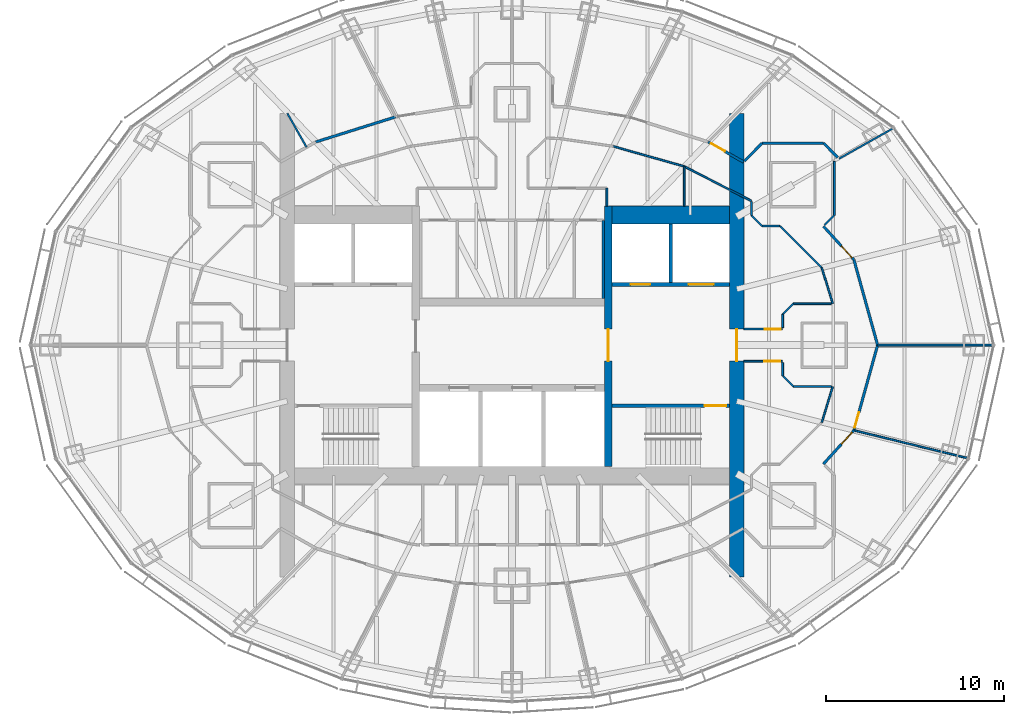
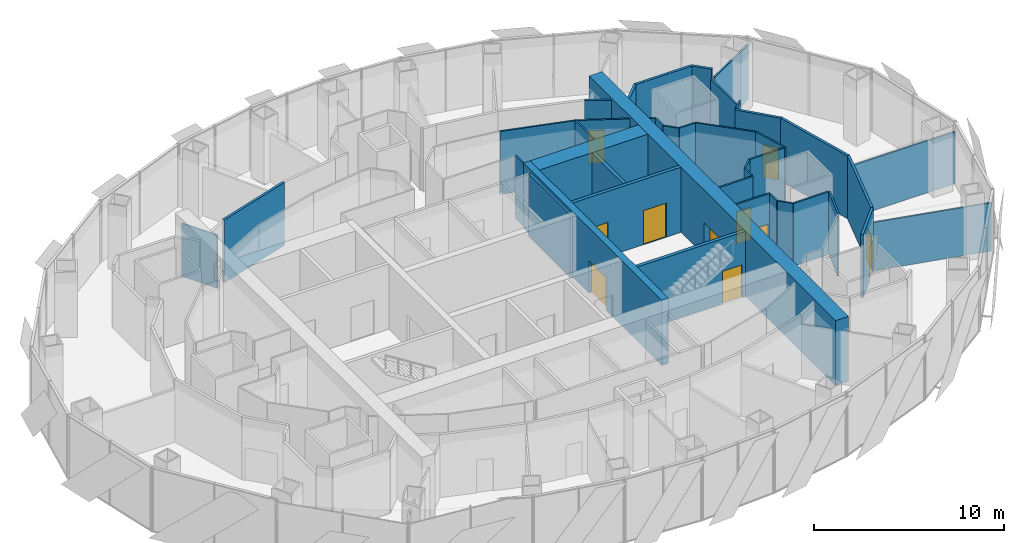
# One storey, part 14 of 18: 40 walls, 11 doors, 11 openings.
"""IFC4 building model written with IfcOpenShell, lengths in metres."""

from ifc_helpers import new_model, si_unit, direction, frame, frame_2d, origin, place, context, subcontext, project, spatial, rectangle, extrude, material, layer, layer_set, type_object, element, fill, save


model = new_model("IFC4")

# Units and contexts
model_context = context("Model", 3, precision=1e-05, world=origin(), true_north=direction((0.0, 1.0)))
body_context = subcontext(model_context, "Body", "Model", "MODEL_VIEW")
ifc_project = project(units=[si_unit("LENGTHUNIT", "METRE"), si_unit("AREAUNIT", "SQUARE_METRE"), si_unit("VOLUMEUNIT", "CUBIC_METRE"), si_unit("PLANEANGLEUNIT", "RADIAN"), si_unit("MASSUNIT", "GRAM", prefix="KILO")], contexts=[model_context])

# Site, building, storey
site_placement = place(None, origin())
site = spatial("IfcSite", under=ifc_project, at=site_placement, CompositionType="ELEMENT")
building_placement = place(site_placement, origin())
building = spatial("IfcBuilding", under=site, at=building_placement, Name="Lantaw Convention Tower", CompositionType="ELEMENT")
storey_placement = place(building_placement, frame((0.0, 0.0, 228.39990234375)))
storey = spatial("IfcBuildingStorey", under=building, at=storey_placement, Name="L53", CompositionType="ELEMENT", Elevation=228.39990234375)

# Wall
ifc_material_1 = material(Name="Concrete C60/75", Category="concrete")
ifc_layer_1 = layer(ifc_material_1, 1.0)
ifc_layer_set_1 = layer_set([ifc_layer_1], Name="Core wall 1000")
wall_type_1 = type_object("IfcWallType", Name="Core wall 1000", PredefinedType="SHEAR", material=ifc_layer_set_1)
wall_1_placement = place(storey_placement, frame((12.199951171875, 7.300048828125, 0.0), z_axis=(0.0, 0.0, 1.0), x_axis=(-1.0, 0.0, 0.0)))
element("IfcWall", 1, at=wall_1_placement, inside=storey, type_object=wall_type_1, Name="Core wall NE", PredefinedType="SHEAR", context=body_context, shape_type="SweptSolid", body=[
    extrude(rectangle(XDim=6.599853515625, YDim=1.0, at=frame_2d((3.2998046875, 0.0))), origin(), (0.0, 0.0, 1.0), 4.2001953125),
])

# Wall, opening, door
ifc_layer_2 = layer(ifc_material_1, 0.199951171875)
ifc_layer_set_2 = layer_set([ifc_layer_2], Name="Core wall 200")
wall_type_2 = type_object("IfcWallType", Name="Core wall 200", PredefinedType="SHEAR", material=ifc_layer_set_2)
wall_2_placement = place(storey_placement, frame((5.60009765625, -3.39990234375, 0.0), z_axis=(0.0, 0.0, 1.0), x_axis=(1.0, 0.0, 0.0)))
wall_2 = element("IfcWall", 2, at=wall_2_placement, inside=storey, type_object=wall_type_2, Name="Core wall ES", PredefinedType="SHEAR", context=body_context, shape_type="SweptSolid", body=[
    extrude(rectangle(XDim=6.599853515625, YDim=0.199951171875, at=frame_2d((3.2998046875, 0.0))), origin(), (0.0, 0.0, 1.0), 4.2001953125),
])
opening_1_placement = place(wall_2_placement, frame((5.199951171875, 0.0, 0.0)))
opening_1 = element("IfcOpeningElement", 3, at=opening_1_placement, cuts=wall_2, Name="Opening L53.03", PredefinedType="OPENING", context=body_context, shape_type="SweptSolid", body=[
    extrude(rectangle(XDim=1.199951171875, YDim=2.10009765625, at=frame_2d((0.60009765625, 1.050048828125))), frame((0.0, 0.10986328125, 0.0), z_axis=(0.0, -1.0, 0.0), x_axis=(1.0, 0.0, 0.0)), (0.0, 0.0, 1.0), 0.219970703125),
])
ifc_material_2 = material(Name="Steel, fire rated", Category="steel")
door_type_1 = type_object("IfcDoorType", Name="Stair door FD90", OperationType="SINGLE_SWING_RIGHT", PredefinedType="DOOR", material=ifc_material_2)
door_1_placement = place(opening_1_placement, origin())
door_1 = element("IfcDoor", 4, at=door_1_placement, inside=storey, type_object=door_type_1, Name="Exit stair door", OperationType="SINGLE_SWING_RIGHT", OverallHeight=2.10009765625, OverallWidth=1.199951171875, PredefinedType="DOOR", context=body_context, shape_type="SweptSolid", body=[
    extrude(rectangle(XDim=1.199951171875, YDim=2.10009765625, at=frame_2d((0.60009765625, 1.050048828125))), frame((0.0, 0.02490234375, 0.0), z_axis=(0.0, -1.0, 0.0), x_axis=(1.0, 0.0, 0.0)), (0.0, 0.0, 1.0), 0.050048828125),
])
fill(opening_1, door_1)

ifc_layer_3 = layer(ifc_material_1, 0.39990234375)
ifc_layer_set_3 = layer_set([ifc_layer_3], Name="Core wall 400")
wall_type_3 = type_object("IfcWallType", Name="Core wall 400", PredefinedType="SHEAR", material=ifc_layer_set_3)
wall_3_placement = place(storey_placement, frame((5.39990234375, -6.800048828125, 0.0), z_axis=(0.0, 0.0, 1.0), x_axis=(0.0, 1.0, 0.0)))
wall_3 = element("IfcWall", 5, at=wall_3_placement, inside=storey, type_object=wall_type_3, Name="Core wall XE", PredefinedType="SHEAR", context=body_context, shape_type="SweptSolid", body=[
    extrude(rectangle(XDim=14.60009765625, YDim=0.39990234375, at=frame_2d((7.300048828125, 0.0))), origin(), (0.0, 0.0, 1.0), 4.2001953125),
])
opening_2_placement = place(wall_3_placement, frame((5.89990234375, 0.0, 0.0)))
opening_2 = element("IfcOpeningElement", 6, at=opening_2_placement, cuts=wall_3, Name="Opening L53.01", PredefinedType="OPENING", context=body_context, shape_type="SweptSolid", body=[
    extrude(rectangle(XDim=1.800048828125, YDim=2.10009765625, at=frame_2d((0.89990234375, 1.050048828125))), frame((0.0, 0.2099609375, 0.0), z_axis=(0.0, -1.0, 0.0), x_axis=(1.0, 0.0, 0.0)), (0.0, 0.0, 1.0), 0.419921875),
])
door_type_2 = type_object("IfcDoorType", Name="Lobby double door FD90", OperationType="DOUBLE_DOOR_DOUBLE_SWING", PredefinedType="DOOR", material=ifc_material_2)
door_2_placement = place(opening_2_placement, origin())
door_2 = element("IfcDoor", 7, at=door_2_placement, inside=storey, type_object=door_type_2, Name="Lift lobby door", OperationType="DOUBLE_DOOR_DOUBLE_SWING", OverallHeight=2.10009765625, OverallWidth=1.800048828125, PredefinedType="DOOR", context=body_context, shape_type="SweptSolid", body=[
    extrude(rectangle(XDim=1.800048828125, YDim=2.10009765625, at=frame_2d((0.89990234375, 1.050048828125))), frame((0.0, 0.02490234375, 0.0), z_axis=(0.0, -1.0, 0.0), x_axis=(1.0, 0.0, 0.0)), (0.0, 0.0, 1.0), 0.050048828125),
])
fill(opening_2, door_2)

ifc_layer_4 = layer(ifc_material_1, 0.800048828125)
ifc_layer_set_4 = layer_set([ifc_layer_4], Name="Core wall 800")
wall_type_4 = type_object("IfcWallType", Name="Core wall 800", PredefinedType="SHEAR", material=ifc_layer_set_4)
wall_4_placement = place(storey_placement, frame((12.60009765625, -13.0, 0.0), z_axis=(0.0, 0.0, 1.0), x_axis=(0.0, 1.0, 0.0)))
wall_4 = element("IfcWall", 8, at=wall_4_placement, inside=storey, type_object=wall_type_4, Name="Core wall E", PredefinedType="SHEAR", context=body_context, shape_type="SweptSolid", body=[
    extrude(rectangle(XDim=26.0, YDim=0.800048828125, at=frame_2d((13.0, 0.0))), origin(), (0.0, 0.0, 1.0), 4.2001953125),
])
opening_3_placement = place(wall_4_placement, frame((12.10009765625, 0.0, 0.0)))
opening_3 = element("IfcOpeningElement", 9, at=opening_3_placement, cuts=wall_4, Name="Opening L53.05", PredefinedType="OPENING", context=body_context, shape_type="SweptSolid", body=[
    extrude(rectangle(XDim=1.800048828125, YDim=2.10009765625, at=frame_2d((0.89990234375, 1.050048828125))), frame((0.0, 0.409912109375, 0.0), z_axis=(0.0, -1.0, 0.0), x_axis=(1.0, 0.0, 0.0)), (0.0, 0.0, 1.0), 0.820068359375),
])
door_3_placement = place(opening_3_placement, origin())
door_3 = element("IfcDoor", 10, at=door_3_placement, inside=storey, type_object=door_type_2, Name="Firefighting lobby door", OperationType="DOUBLE_DOOR_DOUBLE_SWING", OverallHeight=2.10009765625, OverallWidth=1.800048828125, PredefinedType="DOOR", context=body_context, shape_type="SweptSolid", body=[
    extrude(rectangle(XDim=1.800048828125, YDim=2.10009765625, at=frame_2d((0.89990234375, 1.050048828125))), frame((0.0, 0.02490234375, 0.0), z_axis=(0.0, -1.0, 0.0), x_axis=(1.0, 0.0, 0.0)), (0.0, 0.0, 1.0), 0.050048828125),
])
fill(opening_3, door_3)

# Walls
ifc_material_3 = material(Name="Gypsum board on steel studs, fire rated", Category="steel")
ifc_layer_5 = layer(ifc_material_3, 0.14990234375)
ifc_layer_set_5 = layer_set([ifc_layer_5], Name="Corridor wall 150 EI 60")
wall_type_5 = type_object("IfcWallType", Name="Corridor wall 150 EI 60", PredefinedType="PARTITIONING", material=ifc_layer_set_5)
wall_5_placement = place(storey_placement, frame((20.5, 0.0, 0.0), z_axis=(0.0, 0.0, 1.0), x_axis=(-0.26770731566, 0.963500281859, 0.0)))
element("IfcWall", 11, at=wall_5_placement, inside=storey, type_object=wall_type_5, Name="Corridor wall 150", PredefinedType="PARTITIONING", context=body_context, shape_type="SweptSolid", body=[
    extrude(rectangle(XDim=4.961181640625, YDim=0.14990234375, at=frame_2d((2.48046875, 0.0))), origin(), (0.0, 0.0, 1.0), 4.050048828125),
])
wall_6_placement = place(storey_placement, frame((-6.521240234375, 12.798828125, 0.0), z_axis=(0.0, 0.0, 1.0), x_axis=(-0.954031103669, -0.299707612903, 0.0)))
element("IfcWall", 12, at=wall_6_placement, inside=storey, type_object=wall_type_5, Name="Corridor wall 150", PredefinedType="PARTITIONING", context=body_context, shape_type="SweptSolid", body=[
    extrude(rectangle(XDim=4.6953125, YDim=0.14990234375, at=frame_2d((2.34765625, 0.0))), origin(), (0.0, 0.0, 1.0), 4.050048828125),
])

# Wall, opening, door
wall_7_placement = place(storey_placement, frame((19.171875, -4.780029296875, 0.0), z_axis=(0.0, 0.0, 1.0), x_axis=(0.26770731566, 0.963500281859, 0.0)))
wall_7 = element("IfcWall", 13, at=wall_7_placement, inside=storey, type_object=wall_type_5, Name="Corridor wall 150", PredefinedType="PARTITIONING", context=body_context, shape_type="SweptSolid", body=[
    extrude(rectangle(XDim=4.961181640625, YDim=0.14990234375, at=frame_2d((2.48046875, 0.0))), origin(), (0.0, 0.0, 1.0), 4.050048828125),
])
opening_4_placement = place(wall_7_placement, frame((0.14990234375, 0.0, 0.0)))
opening_4 = element("IfcOpeningElement", 14, at=opening_4_placement, cuts=wall_7, Name="Opening L53.44", PredefinedType="OPENING", context=body_context, shape_type="SweptSolid", body=[
    extrude(rectangle(XDim=0.89990234375, YDim=2.10009765625, at=frame_2d((0.449951171875, 1.050048828125))), frame((0.0, 0.0849609375, 0.0), z_axis=(0.0, -1.0, 0.0), x_axis=(1.0, 0.0, 0.0)), (0.0, 0.0, 1.0), 0.169921875),
])
door_type_3 = type_object("IfcDoorType", Name="Office door 900 FD30", OperationType="SINGLE_SWING_LEFT", PredefinedType="DOOR", material=ifc_material_2)
door_4_placement = place(opening_4_placement, origin())
door_4 = element("IfcDoor", 15, at=door_4_placement, inside=storey, type_object=door_type_3, Name="Pantry door", OperationType="SINGLE_SWING_LEFT", OverallHeight=2.10009765625, OverallWidth=0.89990234375, PredefinedType="DOOR", context=body_context, shape_type="SweptSolid", body=[
    extrude(rectangle(XDim=0.89990234375, YDim=2.10009765625, at=frame_2d((0.449951171875, 1.050048828125))), frame((0.0, 0.02490234375, 0.0), z_axis=(0.0, -1.0, 0.0), x_axis=(1.0, 0.0, 0.0)), (0.0, 0.0, 1.0), 0.050048828125),
])
fill(opening_4, door_4)

wall_8_placement = place(storey_placement, frame((17.462646484375, -6.6650390625, 0.0), z_axis=(0.0, 0.0, 1.0), x_axis=(0.671721890643, 0.74080341632, 0.0)))
wall_8 = element("IfcWall", 16, at=wall_8_placement, inside=storey, type_object=wall_type_5, Name="Corridor wall 150", PredefinedType="PARTITIONING", context=body_context, shape_type="SweptSolid", body=[
    extrude(rectangle(XDim=2.54443359375, YDim=0.14990234375, at=frame_2d((1.272216796875, 0.0))), origin(), (0.0, 0.0, 1.0), 4.050048828125),
])
opening_5_placement = place(wall_8_placement, frame((1.5, 0.0, 0.0)))
opening_5 = element("IfcOpeningElement", 17, at=opening_5_placement, cuts=wall_8, Name="Opening L53.43", PredefinedType="OPENING", context=body_context, shape_type="SweptSolid", body=[
    extrude(rectangle(XDim=0.89990234375, YDim=2.10009765625, at=frame_2d((0.449951171875, 1.050048828125))), frame((0.0, 0.0849609375, 0.0), z_axis=(0.0, -1.0, 0.0), x_axis=(1.0, 0.0, 0.0)), (0.0, 0.0, 1.0), 0.169921875),
])
door_5_placement = place(opening_5_placement, origin())
door_5 = element("IfcDoor", 18, at=door_5_placement, inside=storey, type_object=door_type_3, Name="Open office door", OperationType="SINGLE_SWING_LEFT", OverallHeight=2.10009765625, OverallWidth=0.89990234375, PredefinedType="DOOR", context=body_context, shape_type="SweptSolid", body=[
    extrude(rectangle(XDim=0.89990234375, YDim=2.10009765625, at=frame_2d((0.449951171875, 1.050048828125))), frame((0.0, 0.02490234375, 0.0), z_axis=(0.0, -1.0, 0.0), x_axis=(1.0, 0.0, 0.0)), (0.0, 0.0, 1.0), 0.050048828125),
])
fill(opening_5, door_5)

wall_9_placement = place(storey_placement, frame((19.171875, 4.780029296875, 0.0), z_axis=(0.0, 0.0, 1.0), x_axis=(-0.671721890643, 0.74080341632, 0.0)))
wall_9 = element("IfcWall", 19, at=wall_9_placement, inside=storey, type_object=wall_type_5, Name="Corridor wall 150", PredefinedType="PARTITIONING", context=body_context, shape_type="SweptSolid", body=[
    extrude(rectangle(XDim=2.54443359375, YDim=0.14990234375, at=frame_2d((1.272216796875, 0.0))), origin(), (0.0, 0.0, 1.0), 4.050048828125),
])
opening_6_placement = place(wall_9_placement, frame((0.14990234375, 0.0, 0.0)))
opening_6 = element("IfcOpeningElement", 20, at=opening_6_placement, cuts=wall_9, Name="Opening L53.28", PredefinedType="OPENING", context=body_context, shape_type="SweptSolid", body=[
    extrude(rectangle(XDim=0.89990234375, YDim=2.10009765625, at=frame_2d((0.449951171875, 1.050048828125))), frame((0.0, 0.0849609375, 0.0), z_axis=(0.0, -1.0, 0.0), x_axis=(1.0, 0.0, 0.0)), (0.0, 0.0, 1.0), 0.169921875),
])
door_6_placement = place(opening_6_placement, origin())
door_6 = element("IfcDoor", 21, at=door_6_placement, inside=storey, type_object=door_type_3, Name="Reception door", OperationType="SINGLE_SWING_LEFT", OverallHeight=2.10009765625, OverallWidth=0.89990234375, PredefinedType="DOOR", context=body_context, shape_type="SweptSolid", body=[
    extrude(rectangle(XDim=0.89990234375, YDim=2.10009765625, at=frame_2d((0.449951171875, 1.050048828125))), frame((0.0, 0.02490234375, 0.0), z_axis=(0.0, -1.0, 0.0), x_axis=(1.0, 0.0, 0.0)), (0.0, 0.0, 1.0), 0.050048828125),
])
fill(opening_6, door_6)

wall_10_placement = place(storey_placement, frame((12.974609375, 10.271484375, 0.0), z_axis=(0.0, 0.0, 1.0), x_axis=(-0.869722107117, 0.493541747366, 0.0)))
wall_10 = element("IfcWall", 22, at=wall_10_placement, inside=storey, type_object=wall_type_5, Name="Corridor wall 150", PredefinedType="PARTITIONING", context=body_context, shape_type="SweptSolid", body=[
    extrude(rectangle(XDim=2.26953125, YDim=0.14990234375, at=frame_2d((1.134765625, 0.0))), origin(), (0.0, 0.0, 1.0), 4.050048828125),
])
opening_7_placement = place(wall_10_placement, frame((1.199951171875, 0.0, 0.0)))
opening_7 = element("IfcOpeningElement", 23, at=opening_7_placement, cuts=wall_10, Name="Opening L53.29", PredefinedType="OPENING", context=body_context, shape_type="SweptSolid", body=[
    extrude(rectangle(XDim=0.89990234375, YDim=2.10009765625, at=frame_2d((0.449951171875, 1.050048828125))), frame((0.0, 0.0849609375, 0.0), z_axis=(0.0, -1.0, 0.0), x_axis=(1.0, 0.0, 0.0)), (0.0, 0.0, 1.0), 0.169921875),
])
door_7_placement = place(opening_7_placement, origin())
door_7 = element("IfcDoor", 24, at=door_7_placement, inside=storey, type_object=door_type_3, Name="Private office door", OperationType="SINGLE_SWING_LEFT", OverallHeight=2.10009765625, OverallWidth=0.89990234375, PredefinedType="DOOR", context=body_context, shape_type="SweptSolid", body=[
    extrude(rectangle(XDim=0.89990234375, YDim=2.10009765625, at=frame_2d((0.449951171875, 1.050048828125))), frame((0.0, 0.02490234375, 0.0), z_axis=(0.0, -1.0, 0.0), x_axis=(1.0, 0.0, 0.0)), (0.0, 0.0, 1.0), 0.050048828125),
])
fill(opening_7, door_7)

# Walls
wall_11_placement = place(storey_placement, frame((13.035888671875, 10.318603515625, 0.0), z_axis=(0.0, 0.0, 1.0), x_axis=(0.701113567316, 0.713049623606, 0.0)))
element("IfcWall", 25, at=wall_11_placement, inside=storey, type_object=wall_type_5, Name="Corridor wall 150", PredefinedType="PARTITIONING", context=body_context, shape_type="SweptSolid", body=[
    extrude(rectangle(XDim=1.411376953125, YDim=0.14990234375, at=frame_2d((0.70556640625, 0.0))), origin(), (0.0, 0.0, 1.0), 4.050048828125),
])
wall_12_placement = place(storey_placement, frame((14.025390625, 11.324951171875, 0.0), z_axis=(0.0, 0.0, 1.0), x_axis=(1.0, 0.0, 0.0)))
element("IfcWall", 26, at=wall_12_placement, inside=storey, type_object=wall_type_5, Name="Corridor wall 150", PredefinedType="PARTITIONING", context=body_context, shape_type="SweptSolid", body=[
    extrude(rectangle(XDim=3.44921875, YDim=0.14990234375, at=frame_2d((1.724609375, 0.0))), origin(), (0.0, 0.0, 1.0), 4.050048828125),
])
wall_13_placement = place(storey_placement, frame((17.474609375, 11.324951171875, 0.0), z_axis=(0.0, 0.0, 1.0), x_axis=(0.699453593529, -0.714678018761, 0.0)))
element("IfcWall", 27, at=wall_13_placement, inside=storey, type_object=wall_type_5, Name="Corridor wall 150", PredefinedType="PARTITIONING", context=body_context, shape_type="SweptSolid", body=[
    extrude(rectangle(XDim=1.12255859375, YDim=0.14990234375, at=frame_2d((0.561279296875, 0.0))), origin(), (0.0, 0.0, 1.0), 4.050048828125),
])
ifc_material_4 = material(Name="Gypsum board on steel studs, acoustic", Category="steel")
ifc_layer_6 = layer(ifc_material_4, 0.10009765625)
ifc_layer_set_6 = layer_set([ifc_layer_6], Name="Office partition 100")
wall_type_6 = type_object("IfcWallType", Name="Office partition 100", PredefinedType="PARTITIONING", material=ifc_layer_set_6)
wall_14_placement = place(storey_placement, frame((26.944091796875, 0.0, 0.0), z_axis=(0.0, 0.0, 1.0), x_axis=(-1.0, 0.0, 0.0)))
element("IfcWall", 28, at=wall_14_placement, inside=storey, type_object=wall_type_6, Name="Office partition 100", PredefinedType="PARTITIONING", context=body_context, shape_type="SweptSolid", body=[
    extrude(rectangle(XDim=6.444091796875, YDim=0.10009765625, at=frame_2d((3.22216796875, 0.0))), origin(), (0.0, 0.0, 1.0), 3.34912109375),
])
wall_15_placement = place(storey_placement, frame((25.54296875, -6.33544921875, 0.0), z_axis=(0.0, 0.0, 1.0), x_axis=(-0.971467850621, 0.237171278215, 0.0)))
element("IfcWall", 29, at=wall_15_placement, inside=storey, type_object=wall_type_6, Name="Office partition 100", PredefinedType="PARTITIONING", context=body_context, shape_type="SweptSolid", body=[
    extrude(rectangle(XDim=6.55810546875, YDim=0.10009765625, at=frame_2d((3.279052734375, 0.0))), origin(), (0.0, 0.0, 1.0), 3.107666015625),
])
wall_16_placement = place(storey_placement, frame((5.320068359375, 7.800048828125, 0.0), z_axis=(0.0, 0.0, 1.0), x_axis=(0.0, 1.0, 0.0)))
element("IfcWall", 30, at=wall_16_placement, inside=storey, type_object=wall_type_6, Name="Office partition 100", PredefinedType="PARTITIONING", context=body_context, shape_type="SweptSolid", body=[
    extrude(rectangle(XDim=1.0, YDim=0.10009765625, at=frame_2d((0.5, 0.0))), origin(), (0.0, 0.0, 1.0), 4.050048828125),
])
wall_17_placement = place(storey_placement, frame((5.679931640625, 11.147216796875, 0.0), z_axis=(0.0, 0.0, 1.0), x_axis=(0.961970251804, -0.27315423234, 0.0)))
element("IfcWall", 31, at=wall_17_placement, inside=storey, type_object=wall_type_6, Name="Office partition 100", PredefinedType="PARTITIONING", context=body_context, shape_type="SweptSolid", body=[
    extrude(rectangle(XDim=4.13720703125, YDim=0.10009765625, at=frame_2d((2.068603515625, 0.0))), origin(), (0.0, 0.0, 1.0), 4.050048828125),
])
wall_18_placement = place(storey_placement, frame((9.659912109375, 10.01708984375, 0.0), z_axis=(0.0, 0.0, 1.0), x_axis=(0.0, -1.0, 0.0)))
element("IfcWall", 32, at=wall_18_placement, inside=storey, type_object=wall_type_6, Name="Office partition 100", PredefinedType="PARTITIONING", context=body_context, shape_type="SweptSolid", body=[
    extrude(rectangle(XDim=2.217041015625, YDim=0.10009765625, at=frame_2d((1.1083984375, 0.0))), origin(), (0.0, 0.0, 1.0), 4.050048828125),
])
wall_19_placement = place(storey_placement, frame((-12.60009765625, 13.0, 0.0), z_axis=(0.0, 0.0, 1.0), x_axis=(0.493589554261, -0.869694976371, 0.0)))
element("IfcWall", 33, at=wall_19_placement, inside=storey, type_object=wall_type_6, Name="Office partition 100", PredefinedType="PARTITIONING", context=body_context, shape_type="SweptSolid", body=[
    extrude(rectangle(XDim=2.188232421875, YDim=0.10009765625, at=frame_2d((1.09423828125, 0.0))), origin(), (0.0, 0.0, 1.0), 3.409912109375),
])
wall_20_placement = place(storey_placement, frame((21.3583984375, 12.149658203125, 0.0), z_axis=(0.0, 0.0, 1.0), x_axis=(-0.871730019583, -0.489986502832, 0.0)))
element("IfcWall", 34, at=wall_20_placement, inside=storey, type_object=wall_type_6, Name="Office partition 100", PredefinedType="PARTITIONING", context=body_context, shape_type="SweptSolid", body=[
    extrude(rectangle(XDim=3.4599609375, YDim=0.10009765625, at=frame_2d((1.72998046875, 0.0))), origin(), (0.0, 0.0, 1.0), 3.5244140625),
])
wall_21_placement = place(storey_placement, frame((9.659912109375, 10.01708984375, 0.0), z_axis=(0.0, 0.0, 1.0), x_axis=(0.889833724874, -0.456284935185, 0.0)))
element("IfcWall", 35, at=wall_21_placement, inside=storey, type_object=wall_type_6, Name="Office partition 100", PredefinedType="PARTITIONING", context=body_context, shape_type="SweptSolid", body=[
    extrude(rectangle(XDim=4.219970703125, YDim=0.10009765625, at=frame_2d((2.10986328125, 0.0))), origin(), (0.0, 0.0, 1.0), 4.050048828125),
])
wall_22_placement = place(storey_placement, frame((15.03466796875, 6.6650390625, 0.0), z_axis=(0.0, 0.0, 1.0), x_axis=(0.707587114823, -0.70662612104, 0.0)))
element("IfcWall", 36, at=wall_22_placement, inside=storey, type_object=wall_type_6, Name="Office partition 100", PredefinedType="PARTITIONING", context=body_context, shape_type="SweptSolid", body=[
    extrude(rectangle(XDim=3.302734375, YDim=0.10009765625, at=frame_2d((1.6513671875, 0.0))), origin(), (0.0, 0.0, 1.0), 4.050048828125),
])
wall_23_placement = place(storey_placement, frame((15.002197265625, 6.675048828125, 0.0), z_axis=(0.0, 0.0, 1.0), x_axis=(-1.0, 0.0, 0.0)))
element("IfcWall", 37, at=wall_23_placement, inside=storey, type_object=wall_type_6, Name="Office partition 100", PredefinedType="PARTITIONING", context=body_context, shape_type="SweptSolid", body=[
    extrude(rectangle(XDim=0.976806640625, YDim=0.10009765625, at=frame_2d((0.48828125, 0.0))), origin(), (0.0, 0.0, 1.0), 4.050048828125),
])
wall_24_placement = place(storey_placement, frame((14.025390625, 6.675048828125, 0.0), z_axis=(0.0, 0.0, 1.0), x_axis=(-0.707106781187, 0.707106781187, 0.0)))
element("IfcWall", 38, at=wall_24_placement, inside=storey, type_object=wall_type_6, Name="Office partition 100", PredefinedType="PARTITIONING", context=body_context, shape_type="SweptSolid", body=[
    extrude(rectangle(XDim=0.84912109375, YDim=0.10009765625, at=frame_2d((0.424560546875, 0.0))), origin(), (0.0, 0.0, 1.0), 4.050048828125),
])
wall_25_placement = place(storey_placement, frame((13.425048828125, 7.275390625, 0.0), z_axis=(0.0, 0.0, 1.0), x_axis=(0.0, 1.0, 0.0)))
element("IfcWall", 39, at=wall_25_placement, inside=storey, type_object=wall_type_6, Name="Office partition 100", PredefinedType="PARTITIONING", context=body_context, shape_type="SweptSolid", body=[
    extrude(rectangle(XDim=0.77001953125, YDim=0.10009765625, at=frame_2d((0.385009765625, 0.0))), origin(), (0.0, 0.0, 1.0), 4.050048828125),
])
wall_26_placement = place(storey_placement, frame((18.074951171875, 10.30419921875, 0.0), z_axis=(0.0, 0.0, 1.0), x_axis=(0.0, -1.0, 0.0)))
element("IfcWall", 40, at=wall_26_placement, inside=storey, type_object=wall_type_6, Name="Office partition 100", PredefinedType="PARTITIONING", context=body_context, shape_type="SweptSolid", body=[
    extrude(rectangle(XDim=3.02880859375, YDim=0.10009765625, at=frame_2d((1.514404296875, 0.0))), origin(), (0.0, 0.0, 1.0), 3.6005859375),
])
wall_27_placement = place(storey_placement, frame((18.074951171875, 7.275390625, 0.0), z_axis=(0.0, 0.0, 1.0), x_axis=(-0.707106781187, -0.707106781187, 0.0)))
element("IfcWall", 41, at=wall_27_placement, inside=storey, type_object=wall_type_6, Name="Office partition 100", PredefinedType="PARTITIONING", context=body_context, shape_type="SweptSolid", body=[
    extrude(rectangle(XDim=0.759521484375, YDim=0.10009765625, at=frame_2d((0.3798828125, 0.0))), origin(), (0.0, 0.0, 1.0), 4.050048828125),
])

# Wall, opening, door
wall_28_placement = place(storey_placement, frame((13.0, -0.89990234375, 0.0), z_axis=(0.0, 0.0, 1.0), x_axis=(1.0, 0.0, 0.0)))
wall_28 = element("IfcWall", 42, at=wall_28_placement, inside=storey, type_object=wall_type_6, Name="Office partition 100", PredefinedType="PARTITIONING", context=body_context, shape_type="SweptSolid", body=[
    extrude(rectangle(XDim=2.1650390625, YDim=0.10009765625, at=frame_2d((1.08251953125, 0.0))), origin(), (0.0, 0.0, 1.0), 4.050048828125),
])
opening_8_placement = place(wall_28_placement, frame((1.14990234375, 0.0, 0.0)))
opening_8 = element("IfcOpeningElement", 43, at=opening_8_placement, cuts=wall_28, Name="Opening L53.24", PredefinedType="OPENING", context=body_context, shape_type="SweptSolid", body=[
    extrude(rectangle(XDim=0.89990234375, YDim=2.10009765625, at=frame_2d((0.449951171875, 1.050048828125))), frame((0.0, 0.06005859375, 0.0), z_axis=(0.0, -1.0, 0.0), x_axis=(1.0, 0.0, 0.0)), (0.0, 0.0, 1.0), 0.1201171875),
])
ifc_material_5 = material(Name="Timber", Category="wood")
door_type_4 = type_object("IfcDoorType", Name="Office door 900", OperationType="SINGLE_SWING_LEFT", PredefinedType="DOOR", material=ifc_material_5)
door_8_placement = place(opening_8_placement, origin())
door_8 = element("IfcDoor", 44, at=door_8_placement, inside=storey, type_object=door_type_4, Name="Tenant storage room door", OperationType="SINGLE_SWING_LEFT", OverallHeight=2.10009765625, OverallWidth=0.89990234375, PredefinedType="DOOR", context=body_context, shape_type="SweptSolid", body=[
    extrude(rectangle(XDim=0.89990234375, YDim=2.10009765625, at=frame_2d((0.449951171875, 1.050048828125))), frame((0.0, 0.02490234375, 0.0), z_axis=(0.0, -1.0, 0.0), x_axis=(1.0, 0.0, 0.0)), (0.0, 0.0, 1.0), 0.050048828125),
])
fill(opening_8, door_8)

# Walls
for number, where, z_axis, x_axis, name in (
    (45, (17.98388671875, -2.3349609375, 0.0), (0.0, 0.0, 1.0), (-0.293231279211, -0.956041535129, 0.0), "Office partition 100"),
    (46, (17.37158203125, 4.331298828125, 0.0), (0.0, 0.0, 1.0), (0.293231279211, -0.956041535129, 0.0), "Office partition 100"),
):
    element("IfcWall", number, at=place(storey_placement, frame(where, z_axis=z_axis, x_axis=x_axis)), inside=storey, type_object=wall_type_6, Name=name, PredefinedType="PARTITIONING", context=body_context, shape_type="SweptSolid", body=[
        extrude(rectangle(XDim=2.088134765625, YDim=0.10009765625, at=frame_2d((1.0439453125, 0.0))), origin(), (0.0, 0.0, 1.0), 4.050048828125),
    ])

# Wall, opening, door
wall_29_placement = place(storey_placement, frame((15.1650390625, 0.89990234375, 0.0), z_axis=(0.0, 0.0, 1.0), x_axis=(-1.0, 0.0, 0.0)))
wall_29 = element("IfcWall", 47, at=wall_29_placement, inside=storey, type_object=wall_type_6, Name="Office partition 100", PredefinedType="PARTITIONING", context=body_context, shape_type="SweptSolid", body=[
    extrude(rectangle(XDim=2.1650390625, YDim=0.10009765625, at=frame_2d((1.08251953125, 0.0))), origin(), (0.0, 0.0, 1.0), 4.050048828125),
])
opening_9_placement = place(wall_29_placement, frame((0.10009765625, 0.0, 0.0)))
opening_9 = element("IfcOpeningElement", 48, at=opening_9_placement, cuts=wall_29, Name="Opening L53.26", PredefinedType="OPENING", context=body_context, shape_type="SweptSolid", body=[
    extrude(rectangle(XDim=0.89990234375, YDim=2.10009765625, at=frame_2d((0.449951171875, 1.050048828125))), frame((0.0, 0.06005859375, 0.0), z_axis=(0.0, -1.0, 0.0), x_axis=(1.0, 0.0, 0.0)), (0.0, 0.0, 1.0), 0.1201171875),
])
door_9_placement = place(opening_9_placement, origin())
door_9 = element("IfcDoor", 49, at=door_9_placement, inside=storey, type_object=door_type_4, Name="Copy and print room door", OperationType="SINGLE_SWING_LEFT", OverallHeight=2.10009765625, OverallWidth=0.89990234375, PredefinedType="DOOR", context=body_context, shape_type="SweptSolid", body=[
    extrude(rectangle(XDim=0.89990234375, YDim=2.10009765625, at=frame_2d((0.449951171875, 1.050048828125))), frame((0.0, 0.02490234375, 0.0), z_axis=(0.0, -1.0, 0.0), x_axis=(1.0, 0.0, 0.0)), (0.0, 0.0, 1.0), 0.050048828125),
])
fill(opening_9, door_9)

# Walls
wall_30_placement = place(storey_placement, frame((15.175048828125, -1.724609375, 0.0), z_axis=(0.0, 0.0, 1.0), x_axis=(0.0, 1.0, 0.0)))
element("IfcWall", 50, at=wall_30_placement, inside=storey, type_object=wall_type_6, Name="Office partition 100", PredefinedType="PARTITIONING", context=body_context, shape_type="SweptSolid", body=[
    extrude(rectangle(XDim=0.746337890625, YDim=0.10009765625, at=frame_2d((0.373046875, 0.0))), origin(), (0.0, 0.0, 1.0), 4.050048828125),
])
wall_31_placement = place(storey_placement, frame((17.903076171875, -2.324951171875, 0.0), z_axis=(0.0, 0.0, 1.0), x_axis=(-1.0, 0.0, 0.0)))
element("IfcWall", 51, at=wall_31_placement, inside=storey, type_object=wall_type_6, Name="Office partition 100", PredefinedType="PARTITIONING", context=body_context, shape_type="SweptSolid", body=[
    extrude(rectangle(XDim=2.127685546875, YDim=0.10009765625, at=frame_2d((1.06396484375, 0.0))), origin(), (0.0, 0.0, 1.0), 4.050048828125),
])
wall_32_placement = place(storey_placement, frame((15.775390625, -2.324951171875, 0.0), z_axis=(0.0, 0.0, 1.0), x_axis=(-0.707106781187, 0.707106781187, 0.0)))
element("IfcWall", 52, at=wall_32_placement, inside=storey, type_object=wall_type_6, Name="Office partition 100", PredefinedType="PARTITIONING", context=body_context, shape_type="SweptSolid", body=[
    extrude(rectangle(XDim=0.84912109375, YDim=0.10009765625, at=frame_2d((0.424560546875, 0.0))), origin(), (0.0, 0.0, 1.0), 4.050048828125),
])
wall_33_placement = place(storey_placement, frame((15.175048828125, 0.978271484375, 0.0), z_axis=(0.0, 0.0, 1.0), x_axis=(0.0, 1.0, 0.0)))
element("IfcWall", 53, at=wall_33_placement, inside=storey, type_object=wall_type_6, Name="Office partition 100", PredefinedType="PARTITIONING", context=body_context, shape_type="SweptSolid", body=[
    extrude(rectangle(XDim=0.746337890625, YDim=0.10009765625, at=frame_2d((0.373046875, 0.0))), origin(), (0.0, 0.0, 1.0), 4.050048828125),
])
wall_34_placement = place(storey_placement, frame((15.175048828125, 1.724609375, 0.0), z_axis=(0.0, 0.0, 1.0), x_axis=(0.707106781187, 0.707106781187, 0.0)))
element("IfcWall", 54, at=wall_34_placement, inside=storey, type_object=wall_type_6, Name="Office partition 100", PredefinedType="PARTITIONING", context=body_context, shape_type="SweptSolid", body=[
    extrude(rectangle(XDim=0.84912109375, YDim=0.10009765625, at=frame_2d((0.424560546875, 0.0))), origin(), (0.0, 0.0, 1.0), 4.050048828125),
])
wall_35_placement = place(storey_placement, frame((15.775390625, 2.324951171875, 0.0), z_axis=(0.0, 0.0, 1.0), x_axis=(1.0, 0.0, 0.0)))
element("IfcWall", 55, at=wall_35_placement, inside=storey, type_object=wall_type_6, Name="Office partition 100", PredefinedType="PARTITIONING", context=body_context, shape_type="SweptSolid", body=[
    extrude(rectangle(XDim=2.127685546875, YDim=0.10009765625, at=frame_2d((1.06396484375, 0.0))), origin(), (0.0, 0.0, 1.0), 4.050048828125),
])

# Wall, openings, doors
ifc_material_6 = material(Name="Concrete blockwork, fire rated", Category="masonry")
ifc_layer_7 = layer(ifc_material_6, 0.199951171875)
ifc_layer_set_7 = layer_set([ifc_layer_7], Name="Shaft wall 200")
wall_type_7 = type_object("IfcWallType", Name="Shaft wall 200", PredefinedType="SOLIDWALL", material=ifc_layer_set_7)
wall_36_placement = place(storey_placement, frame((12.199951171875, 3.39990234375, 0.0), z_axis=(0.0, 0.0, 1.0), x_axis=(-1.0, 0.0, 0.0)))
wall_36 = element("IfcWall", 56, at=wall_36_placement, inside=storey, type_object=wall_type_7, Name="Shaft wall EN", PredefinedType="SOLIDWALL", context=body_context, shape_type="SweptSolid", body=[
    extrude(rectangle(XDim=6.599853515625, YDim=0.199951171875, at=frame_2d((3.2998046875, 0.0))), origin(), (0.0, 0.0, 1.0), 4.2001953125),
])
opening_10_placement = place(wall_36_placement, frame((4.449951171875, 0.0, 0.0)))
opening_10 = element("IfcOpeningElement", 57, at=opening_10_placement, cuts=wall_36, Name="Opening L53.12", PredefinedType="OPENING", context=body_context, shape_type="SweptSolid", body=[
    extrude(rectangle(XDim=1.10009765625, YDim=2.199951171875, at=frame_2d((0.550048828125, 1.10009765625))), frame((0.0, 0.10986328125, 0.0), z_axis=(0.0, -1.0, 0.0), x_axis=(1.0, 0.0, 0.0)), (0.0, 0.0, 1.0), 0.219970703125),
])
opening_11_placement = place(wall_36_placement, frame((0.89990234375, 0.0, 0.0)))
opening_11 = element("IfcOpeningElement", 58, at=opening_11_placement, cuts=wall_36, Name="Opening L53.13", PredefinedType="OPENING", context=body_context, shape_type="SweptSolid", body=[
    extrude(rectangle(XDim=1.39990234375, YDim=2.199951171875, at=frame_2d((0.699951171875, 1.10009765625))), frame((0.0, 0.10986328125, 0.0), z_axis=(0.0, -1.0, 0.0), x_axis=(1.0, 0.0, 0.0)), (0.0, 0.0, 1.0), 0.219970703125),
])
ifc_material_7 = material(Name="Stainless steel", Category="steel")
door_type_5 = type_object("IfcDoorType", Name="Lift landing door 1100", OperationType="DOUBLE_DOOR_SLIDING", PredefinedType="DOOR", material=ifc_material_7)
door_10_placement = place(opening_10_placement, origin())
door_10 = element("IfcDoor", 59, at=door_10_placement, inside=storey, type_object=door_type_5, Name="Lift landing door FF2", OperationType="DOUBLE_DOOR_SLIDING", OverallHeight=2.199951171875, OverallWidth=1.10009765625, PredefinedType="DOOR", context=body_context, shape_type="SweptSolid", body=[
    extrude(rectangle(XDim=1.10009765625, YDim=2.199951171875, at=frame_2d((0.550048828125, 1.10009765625))), frame((0.0, 0.02490234375, 0.0), z_axis=(0.0, -1.0, 0.0), x_axis=(1.0, 0.0, 0.0)), (0.0, 0.0, 1.0), 0.050048828125),
])
fill(opening_10, door_10)
door_type_6 = type_object("IfcDoorType", Name="Lift landing door 1400", OperationType="DOUBLE_DOOR_SLIDING", PredefinedType="DOOR", material=ifc_material_7)
door_11_placement = place(opening_11_placement, origin())
door_11 = element("IfcDoor", 60, at=door_11_placement, inside=storey, type_object=door_type_6, Name="Lift landing door SV2", OperationType="DOUBLE_DOOR_SLIDING", OverallHeight=2.199951171875, OverallWidth=1.39990234375, PredefinedType="DOOR", context=body_context, shape_type="SweptSolid", body=[
    extrude(rectangle(XDim=1.39990234375, YDim=2.199951171875, at=frame_2d((0.699951171875, 1.10009765625))), frame((0.0, 0.02490234375, 0.0), z_axis=(0.0, -1.0, 0.0), x_axis=(1.0, 0.0, 0.0)), (0.0, 0.0, 1.0), 0.050048828125),
])
fill(opening_11, door_11)

# Walls
wall_37_placement = place(storey_placement, frame((8.89990234375, 3.5, 0.0), z_axis=(0.0, 0.0, 1.0), x_axis=(0.0, 1.0, 0.0)))
element("IfcWall", 61, at=wall_37_placement, inside=storey, type_object=wall_type_7, Name="Shaft wall ED", PredefinedType="SOLIDWALL", context=body_context, shape_type="SweptSolid", body=[
    extrude(rectangle(XDim=3.300048828125, YDim=0.199951171875, at=frame_2d((1.64990234375, 0.0))), origin(), (0.0, 0.0, 1.0), 4.2001953125),
])
ifc_material_8 = material(Name="Concrete blockwork", Category="masonry")
ifc_layer_8 = layer(ifc_material_8, 0.14990234375)
ifc_layer_set_8 = layer_set([ifc_layer_8], Name="WC wall 150")
wall_type_8 = type_object("IfcWallType", Name="WC wall 150", PredefinedType="SOLIDWALL", material=ifc_layer_set_8)
wall_38_placement = place(storey_placement, frame((5.1201171875, 2.60009765625, 0.0), z_axis=(0.0, 0.0, 1.0), x_axis=(0.0, 1.0, 0.0)))
element("IfcWall", 62, at=wall_38_placement, inside=storey, type_object=wall_type_8, Name="WC wall 150", PredefinedType="SOLIDWALL", context=body_context, shape_type="SweptSolid", body=[
    extrude(rectangle(XDim=4.39990234375, YDim=0.14990234375, at=frame_2d((2.199951171875, 0.0))), origin(), (0.0, 0.0, 1.0), 4.050048828125),
])

save(model, "model.ifc")
